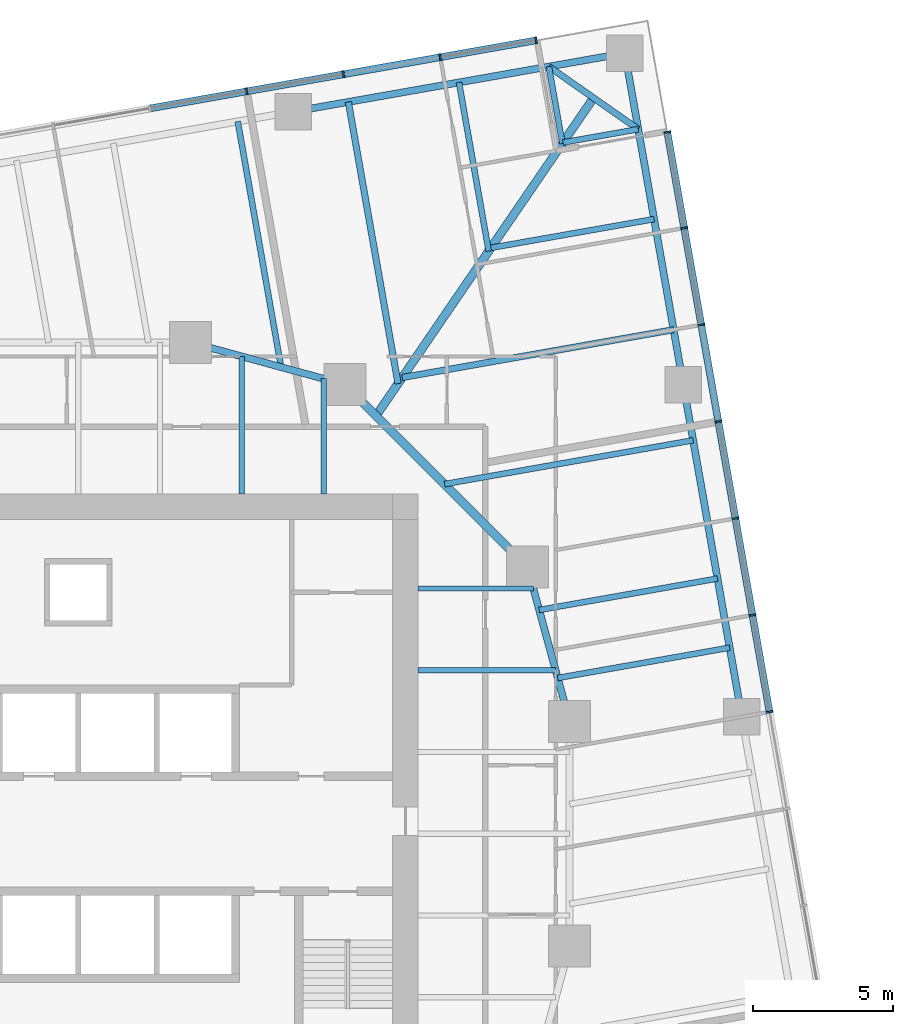
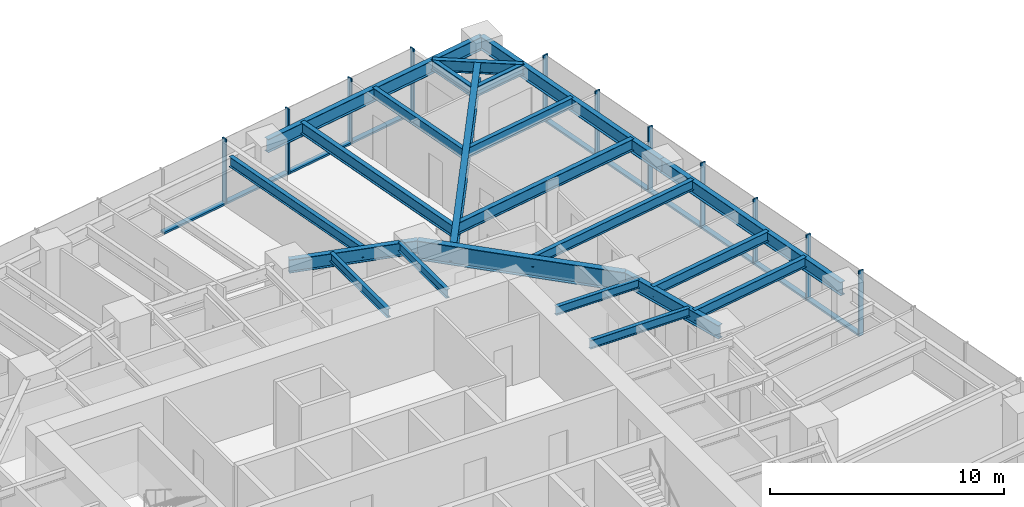
# One storey, part 6 of 14: 22 beams, 21 members, 2 elements without a shape of their own.
"""IFC4 building model written with IfcOpenShell, lengths in metres."""

from ifc_helpers import new_model, si_unit, direction, frame, origin, origin_2d, place, context, subcontext, project, spatial, rectangle, i_section, extrude, material, material_profile, profile_set, type_object, element, aggregate, save


model = new_model("IFC4")

# Units and contexts
model_context = context("Model", 3, precision=1e-05, world=origin(), true_north=direction((0.0, 1.0)))
body_context = subcontext(model_context, "Body", "Model", "MODEL_VIEW")
ifc_project = project(units=[si_unit("LENGTHUNIT", "METRE"), si_unit("AREAUNIT", "SQUARE_METRE"), si_unit("VOLUMEUNIT", "CUBIC_METRE"), si_unit("PLANEANGLEUNIT", "RADIAN"), si_unit("MASSUNIT", "GRAM", prefix="KILO")], contexts=[model_context])

# Site, building, storey
site_placement = place(None, origin())
site = spatial("IfcSite", under=ifc_project, at=site_placement, CompositionType="ELEMENT")
building_placement = place(site_placement, origin())
building = spatial("IfcBuilding", under=site, at=building_placement, Name="Torsade Residences", CompositionType="ELEMENT")
storey_placement = place(building_placement, frame((0.0, 0.0, 82.800048828125)))
storey = spatial("IfcBuildingStorey", under=building, at=storey_placement, Name="L22", CompositionType="ELEMENT", Elevation=82.800048828125)

# Beams
ifc_material_1 = material(Name="Steel grade 300", Category="steel")
ifc_material_profile_1 = material_profile(ifc_material_1, i_section(OverallWidth=0.300048828125, OverallDepth=0.89990234375, WebThickness=0.011962890625, FlangeThickness=0.02490234375, at=origin_2d()), Name="900WB175")
ifc_profile_set_1 = profile_set([ifc_material_profile_1], Name="Steel grade 300")
beam_type_1 = type_object("IfcBeamType", Name="CORNER GIRDER 900WB175", PredefinedType="BEAM", material=ifc_profile_set_1)
beam_1_placement = place(storey_placement, frame((58.3525390625, 56.2099609375, 2.800048828125), z_axis=(-0.564724759437, -0.825279313977, 0.0), x_axis=(0.825279313977, -0.564724759437, 0.0)))
element("IfcBeam", 1, at=beam_1_placement, inside=storey, type_object=beam_type_1, Name="Corner girder 09 L23", PredefinedType="BEAM", context=body_context, shape_type="SweptSolid", body=[
    extrude(i_section(OverallWidth=0.300048828125, OverallDepth=0.89990234375, WebThickness=0.011962890625, FlangeThickness=0.02490234375, at=origin_2d()), origin(), (0.0, 0.0, 1.0), 13.7138671875),
])
ifc_material_2 = material(Name="Steel grade 300", Category="steel")
ifc_material_profile_2 = material_profile(ifc_material_2, i_section(OverallWidth=0.22802734375, OverallDepth=0.60205078125, WebThickness=0.010498046875, FlangeThickness=0.014892578125, FilletRadius=0.013916015625, at=origin_2d()), Name="610UB101")
ifc_profile_set_2 = profile_set([ifc_material_profile_2], Name="Steel grade 300")
beam_type_2 = type_object("IfcBeamType", Name="CORNER TRIMMER 610UB101", PredefinedType="BEAM", material=ifc_profile_set_2)
beam_2_placement = place(storey_placement, frame((56.759521484375, 57.325439453125, 2.948974609375), z_axis=(0.819152285145, -0.573576092373, 0.0), x_axis=(0.573576092373, 0.819152285145, 0.0)))
element("IfcBeam", 2, at=beam_2_placement, inside=storey, type_object=beam_type_2, Name="Corner trimmer 09 L23", PredefinedType="BEAM", context=body_context, shape_type="SweptSolid", body=[
    extrude(i_section(OverallWidth=0.22802734375, OverallDepth=0.60205078125, WebThickness=0.010498046875, FlangeThickness=0.014892578125, FilletRadius=0.013916015625, at=origin_2d()), origin(), (0.0, 0.0, 1.0), 3.88916015625),
])

# Curtain wall, members
ifc_material_3 = material(Name="Aluminium and glass", Category="aluminium")
curtain_wall_type = type_object("IfcCurtainWallType", Name="FRITTED GLASS CURTAIN WALL LOW ZONE", PredefinedType="NOTDEFINED", material=ifc_material_3)
curtain_wall_1_placement = place(storey_placement, origin())
curtain_wall_1 = element("IfcCurtainWall", 3, at=curtain_wall_1_placement, inside=storey, type_object=curtain_wall_type, Name="Curtain wall L22 face 4", PredefinedType="NOTDEFINED")
ifc_material_4 = material(Name="Aluminium mullion", Category="aluminium")
ifc_material_profile_3 = material_profile(ifc_material_4, rectangle(XDim=0.25, YDim=0.06494140625, at=origin_2d()), Name="CURTAIN WALL MULLION 250x65")
ifc_profile_set_3 = profile_set([ifc_material_profile_3], Name="Aluminium mullion")
member_type_1 = type_object("IfcMemberType", Name="CURTAIN WALL MULLION 250x65", PredefinedType="MULLION", material=ifc_profile_set_3)
member_1_placement = place(storey_placement, frame((64.6201171875, 34.34130859375, 0.0), z_axis=(0.0, 0.0, 1.0), x_axis=(-0.984807750372, -0.173648192638, 0.0)))
member_1 = element("IfcMember", 4, at=member_1_placement, type_object=member_type_1, Name="Mullion 7", PredefinedType="MULLION", context=body_context, shape_type="SweptSolid", body=[
    extrude(rectangle(XDim=0.25, YDim=0.06494140625, at=origin_2d()), origin(), (0.0, 0.0, 1.0), 3.39990234375),
])
member_2_placement = place(storey_placement, frame((64.012451171875, 37.7880859375, 0.0), z_axis=(0.0, 0.0, 1.0), x_axis=(-0.984807750372, -0.173648192638, 0.0)))
member_2 = element("IfcMember", 5, at=member_2_placement, type_object=member_type_1, Name="Mullion 8", PredefinedType="MULLION", context=body_context, shape_type="SweptSolid", body=[
    extrude(rectangle(XDim=0.25, YDim=0.06494140625, at=origin_2d()), origin(), (0.0, 0.0, 1.0), 3.39990234375),
])
member_3_placement = place(storey_placement, frame((63.404541015625, 41.23486328125, 0.0), z_axis=(0.0, 0.0, 1.0), x_axis=(-0.984807750372, -0.173648192638, 0.0)))
member_3 = element("IfcMember", 6, at=member_3_placement, type_object=member_type_1, Name="Mullion 9", PredefinedType="MULLION", context=body_context, shape_type="SweptSolid", body=[
    extrude(rectangle(XDim=0.25, YDim=0.06494140625, at=origin_2d()), origin(), (0.0, 0.0, 1.0), 3.39990234375),
])
member_4_placement = place(storey_placement, frame((62.796875, 44.681640625, 0.0), z_axis=(0.0, 0.0, 1.0), x_axis=(-0.984807750372, -0.173648192638, 0.0)))
member_4 = element("IfcMember", 7, at=member_4_placement, type_object=member_type_1, Name="Mullion 10", PredefinedType="MULLION", context=body_context, shape_type="SweptSolid", body=[
    extrude(rectangle(XDim=0.25, YDim=0.06494140625, at=origin_2d()), origin(), (0.0, 0.0, 1.0), 3.39990234375),
])
member_5_placement = place(storey_placement, frame((62.189208984375, 48.12841796875, 0.0), z_axis=(0.0, 0.0, 1.0), x_axis=(-0.984807750372, -0.173648192638, 0.0)))
member_5 = element("IfcMember", 8, at=member_5_placement, type_object=member_type_1, Name="Mullion 11", PredefinedType="MULLION", context=body_context, shape_type="SweptSolid", body=[
    extrude(rectangle(XDim=0.25, YDim=0.06494140625, at=origin_2d()), origin(), (0.0, 0.0, 1.0), 3.39990234375),
])
member_6_placement = place(storey_placement, frame((61.581298828125, 51.575439453125, 0.0), z_axis=(0.0, 0.0, 1.0), x_axis=(-0.984807750372, -0.173648192638, 0.0)))
member_6 = element("IfcMember", 9, at=member_6_placement, type_object=member_type_1, Name="Mullion 12", PredefinedType="MULLION", context=body_context, shape_type="SweptSolid", body=[
    extrude(rectangle(XDim=0.25, YDim=0.06494140625, at=origin_2d()), origin(), (0.0, 0.0, 1.0), 3.39990234375),
])
member_7_placement = place(storey_placement, frame((60.979248046875, 54.990234375, 0.0), z_axis=(0.0, 0.0, 1.0), x_axis=(-0.984807750372, -0.173648192638, 0.0)))
member_7 = element("IfcMember", 10, at=member_7_placement, type_object=member_type_1, Name="Mullion 13", PredefinedType="MULLION", context=body_context, shape_type="SweptSolid", body=[
    extrude(rectangle(XDim=0.25, YDim=0.06494140625, at=origin_2d()), origin(), (0.0, 0.0, 1.0), 3.39990234375),
])

curtain_wall_2_placement = place(storey_placement, origin())
curtain_wall_2 = element("IfcCurtainWall", 11, at=curtain_wall_2_placement, inside=storey, type_object=curtain_wall_type, Name="Curtain wall L22 face 7", PredefinedType="NOTDEFINED")
member_8_placement = place(storey_placement, frame((56.307861328125, 58.26123046875, 0.0), z_axis=(0.0, 0.0, 1.0), x_axis=(0.173648192638, -0.984807750372, 0.0)))
member_8 = element("IfcMember", 12, at=member_8_placement, type_object=member_type_1, Name="Mullion 1", PredefinedType="MULLION", context=body_context, shape_type="SweptSolid", body=[
    extrude(rectangle(XDim=0.25, YDim=0.06494140625, at=origin_2d()), origin(), (0.0, 0.0, 1.0), 3.39990234375),
])
member_9_placement = place(storey_placement, frame((52.892822265625, 57.658935546875, 0.0), z_axis=(0.0, 0.0, 1.0), x_axis=(0.173648192638, -0.984807750372, 0.0)))
member_9 = element("IfcMember", 13, at=member_9_placement, type_object=member_type_1, Name="Mullion 2", PredefinedType="MULLION", context=body_context, shape_type="SweptSolid", body=[
    extrude(rectangle(XDim=0.25, YDim=0.06494140625, at=origin_2d()), origin(), (0.0, 0.0, 1.0), 3.39990234375),
])
member_10_placement = place(storey_placement, frame((49.446044921875, 57.05126953125, 0.0), z_axis=(0.0, 0.0, 1.0), x_axis=(0.173648192638, -0.984807750372, 0.0)))
member_10 = element("IfcMember", 14, at=member_10_placement, type_object=member_type_1, Name="Mullion 3", PredefinedType="MULLION", context=body_context, shape_type="SweptSolid", body=[
    extrude(rectangle(XDim=0.25, YDim=0.06494140625, at=origin_2d()), origin(), (0.0, 0.0, 1.0), 3.39990234375),
])
member_11_placement = place(storey_placement, frame((45.999267578125, 56.443603515625, 0.0), z_axis=(0.0, 0.0, 1.0), x_axis=(0.173648192638, -0.984807750372, 0.0)))
member_11 = element("IfcMember", 15, at=member_11_placement, type_object=member_type_1, Name="Mullion 4", PredefinedType="MULLION", context=body_context, shape_type="SweptSolid", body=[
    extrude(rectangle(XDim=0.25, YDim=0.06494140625, at=origin_2d()), origin(), (0.0, 0.0, 1.0), 3.39990234375),
])

# Member
ifc_material_5 = material(Name="Aluminium transom", Category="aluminium")
ifc_material_profile_4 = material_profile(ifc_material_5, rectangle(XDim=0.25, YDim=0.10009765625, at=origin_2d()), Name="CURTAIN WALL TRANSOM 250x100")
ifc_profile_set_4 = profile_set([ifc_material_profile_4], Name="Aluminium transom")
member_type_2 = type_object("IfcMemberType", Name="CURTAIN WALL TRANSOM 250x100", PredefinedType="USERDEFINED", material=ifc_profile_set_4)
member_12_placement = place(storey_placement, frame((64.614501953125, 34.373291015625, 0.050048828125), z_axis=(-0.17363531196, 0.984810021497, 0.0), x_axis=(-0.984810021497, -0.17363531196, 0.0)))
member_12 = element("IfcMember", 16, at=member_12_placement, type_object=member_type_2, Name="Transom 7.1", ObjectType="TRANSOM", PredefinedType="USERDEFINED", context=body_context, shape_type="SweptSolid", body=[
    extrude(rectangle(XDim=0.25, YDim=0.10009765625, at=origin_2d()), origin(), (0.0, 0.0, 1.0), 3.43505859375),
])

member_13_placement = place(storey_placement, frame((64.0068359375, 37.820068359375, 0.050048828125), z_axis=(-0.17363531196, 0.984810021497, 0.0), x_axis=(-0.984810021497, -0.17363531196, 0.0)))
member_13 = element("IfcMember", 17, at=member_13_placement, type_object=member_type_2, Name="Transom 8.1", ObjectType="TRANSOM", PredefinedType="USERDEFINED", context=body_context, shape_type="SweptSolid", body=[
    extrude(rectangle(XDim=0.25, YDim=0.10009765625, at=origin_2d()), origin(), (0.0, 0.0, 1.0), 3.43505859375),
])

member_14_placement = place(storey_placement, frame((63.39892578125, 41.266845703125, 0.050048828125), z_axis=(-0.17363531196, 0.984810021497, 0.0), x_axis=(-0.984810021497, -0.17363531196, 0.0)))
member_14 = element("IfcMember", 18, at=member_14_placement, type_object=member_type_2, Name="Transom 9.1", ObjectType="TRANSOM", PredefinedType="USERDEFINED", context=body_context, shape_type="SweptSolid", body=[
    extrude(rectangle(XDim=0.25, YDim=0.10009765625, at=origin_2d()), origin(), (0.0, 0.0, 1.0), 3.43505859375),
])

member_15_placement = place(storey_placement, frame((62.791259765625, 44.713623046875, 0.050048828125), z_axis=(-0.17363531196, 0.984810021497, 0.0), x_axis=(-0.984810021497, -0.17363531196, 0.0)))
member_15 = element("IfcMember", 19, at=member_15_placement, type_object=member_type_2, Name="Transom 10.1", ObjectType="TRANSOM", PredefinedType="USERDEFINED", context=body_context, shape_type="SweptSolid", body=[
    extrude(rectangle(XDim=0.25, YDim=0.10009765625, at=origin_2d()), origin(), (0.0, 0.0, 1.0), 3.43505859375),
])

member_16_placement = place(storey_placement, frame((62.18359375, 48.160400390625, 0.050048828125), z_axis=(-0.173704242465, 0.98479786563, 0.0), x_axis=(-0.98479786563, -0.173704242465, 0.0)))
member_16 = element("IfcMember", 20, at=member_16_placement, type_object=member_type_2, Name="Transom 11.1", ObjectType="TRANSOM", PredefinedType="USERDEFINED", context=body_context, shape_type="SweptSolid", body=[
    extrude(rectangle(XDim=0.25, YDim=0.10009765625, at=origin_2d()), origin(), (0.0, 0.0, 1.0), 3.43505859375),
])

member_17_placement = place(storey_placement, frame((61.57568359375, 51.607421875, 0.050048828125), z_axis=(-0.173642067011, 0.984808830466, 0.0), x_axis=(-0.984808830466, -0.173642067011, 0.0)))
member_17 = element("IfcMember", 21, at=member_17_placement, type_object=member_type_2, Name="Transom 12.1", ObjectType="TRANSOM", PredefinedType="USERDEFINED", context=body_context, shape_type="SweptSolid", body=[
    extrude(rectangle(XDim=0.25, YDim=0.10009765625, at=origin_2d()), origin(), (0.0, 0.0, 1.0), 3.402587890625),
])

aggregate(curtain_wall_1, [member_1, member_2, member_3, member_4, member_5, member_6, member_7, member_12, member_13, member_14, member_15, member_16, member_17])

member_18_placement = place(storey_placement, frame((56.275634765625, 58.255615234375, 0.050048828125), z_axis=(-0.984806666774, -0.173654337918, 0.0), x_axis=(0.173654337918, -0.984806666774, 0.0)))
member_18 = element("IfcMember", 22, at=member_18_placement, type_object=member_type_2, Name="Transom 1.1", ObjectType="TRANSOM", PredefinedType="USERDEFINED", context=body_context, shape_type="SweptSolid", body=[
    extrude(rectangle(XDim=0.25, YDim=0.10009765625, at=origin_2d()), origin(), (0.0, 0.0, 1.0), 3.40234375),
])

member_19_placement = place(storey_placement, frame((52.86083984375, 57.6533203125, 0.050048828125), z_axis=(-0.984810021497, -0.17363531196, 0.0), x_axis=(0.17363531196, -0.984810021497, 0.0)))
member_19 = element("IfcMember", 23, at=member_19_placement, type_object=member_type_2, Name="Transom 2.1", ObjectType="TRANSOM", PredefinedType="USERDEFINED", context=body_context, shape_type="SweptSolid", body=[
    extrude(rectangle(XDim=0.25, YDim=0.10009765625, at=origin_2d()), origin(), (0.0, 0.0, 1.0), 3.43505859375),
])

member_20_placement = place(storey_placement, frame((49.4140625, 57.045654296875, 0.050048828125), z_axis=(-0.984810021497, -0.17363531196, 0.0), x_axis=(0.17363531196, -0.984810021497, 0.0)))
member_20 = element("IfcMember", 24, at=member_20_placement, type_object=member_type_2, Name="Transom 3.1", ObjectType="TRANSOM", PredefinedType="USERDEFINED", context=body_context, shape_type="SweptSolid", body=[
    extrude(rectangle(XDim=0.25, YDim=0.10009765625, at=origin_2d()), origin(), (0.0, 0.0, 1.0), 3.43505859375),
])

member_21_placement = place(storey_placement, frame((45.96728515625, 56.437744140625, 0.050048828125), z_axis=(-0.984810021497, -0.17363531196, 0.0), x_axis=(0.17363531196, -0.984810021497, 0.0)))
member_21 = element("IfcMember", 25, at=member_21_placement, type_object=member_type_2, Name="Transom 4.1", ObjectType="TRANSOM", PredefinedType="USERDEFINED", context=body_context, shape_type="SweptSolid", body=[
    extrude(rectangle(XDim=0.25, YDim=0.10009765625, at=origin_2d()), origin(), (0.0, 0.0, 1.0), 3.43505859375),
])

aggregate(curtain_wall_2, [member_8, member_9, member_10, member_11, member_18, member_19, member_20, member_21])

# Beams
ifc_material_6 = material(Name="Steel grade 300", Category="steel")
ifc_material_profile_5 = material_profile(ifc_material_6, i_section(OverallWidth=0.25, OverallDepth=0.699951171875, WebThickness=0.010009765625, FlangeThickness=0.02001953125, at=origin_2d()), Name="700WB130")
ifc_profile_set_5 = profile_set([ifc_material_profile_5], Name="Steel grade 300")
beam_type_3 = type_object("IfcBeamType", Name="EDGE BEAM 700WB130", PredefinedType="SPANDREL", material=ifc_profile_set_5)
beam_3_placement = place(storey_placement, frame((63.635498046875, 34.16748046875, 2.89990234375), z_axis=(-0.173662308598, 0.984805261243, 0.0), x_axis=(-0.984805261243, -0.173662308598, 0.0)))
element("IfcBeam", 26, at=beam_3_placement, inside=storey, type_object=beam_type_3, Name="Edge beam 07 L23", PredefinedType="SPANDREL", context=body_context, shape_type="SweptSolid", body=[
    extrude(i_section(OverallWidth=0.25, OverallDepth=0.699951171875, WebThickness=0.010009765625, FlangeThickness=0.02001953125, at=origin_2d()), origin(), (0.0, 0.0, 1.0), 12.000244140625),
])
for number, where, z_axis, x_axis, name in (
    (27, (61.551513671875, 45.9853515625, 2.89990234375), (-0.173646056486, 0.984808127031, 0.0), (-0.984808127031, -0.173646056486, 0.0), "Edge beam 08 L23"),
    (28, (59.4677734375, 57.802978515625, 2.89990234375), (-0.984808127031, -0.173646056486, 0.0), (0.173646056486, -0.984808127031, 0.0), "Edge beam 09 L23"),
):
    element("IfcBeam", number, at=place(storey_placement, frame(where, z_axis=z_axis, x_axis=x_axis)), inside=storey, type_object=beam_type_3, Name=name, PredefinedType="SPANDREL", context=body_context, shape_type="SweptSolid", body=[
        extrude(i_section(OverallWidth=0.25, OverallDepth=0.699951171875, WebThickness=0.010009765625, FlangeThickness=0.02001953125, at=origin_2d()), origin(), (0.0, 0.0, 1.0), 12.0),
    ])
ifc_material_7 = material(Name="Steel grade 300", Category="steel")
ifc_material_profile_6 = material_profile(ifc_material_7, i_section(OverallWidth=0.18994140625, OverallDepth=0.4541015625, WebThickness=0.008544921875, FlangeThickness=0.0126953125, FilletRadius=0.011474609375, at=origin_2d()), Name="460UB67.1")
ifc_profile_set_6 = profile_set([ifc_material_profile_6], Name="Steel grade 300")
beam_type_4 = type_object("IfcBeamType", Name="INNER FLOOR BEAM 460UB67.1", PredefinedType="JOIST", material=ifc_profile_set_6)
beam_4_placement = place(storey_placement, frame((45.824951171875, 42.10009765625, 3.02294921875), z_axis=(0.0, 1.0, 0.0), x_axis=(-1.0, 0.0, 0.0)))
element("IfcBeam", 29, at=beam_4_placement, inside=storey, type_object=beam_type_4, Name="Inner floor beam IN06 L23", PredefinedType="JOIST", context=body_context, shape_type="SweptSolid", body=[
    extrude(i_section(OverallWidth=0.18994140625, OverallDepth=0.4541015625, WebThickness=0.008544921875, FlangeThickness=0.0126953125, FilletRadius=0.011474609375, at=origin_2d()), origin(), (0.0, 0.0, 1.0), 4.902099609375),
])
beam_5_placement = place(storey_placement, frame((48.737548828125, 42.10009765625, 3.02294921875), z_axis=(0.0, 1.0, 0.0), x_axis=(-1.0, 0.0, 0.0)))
element("IfcBeam", 30, at=beam_5_placement, inside=storey, type_object=beam_type_4, Name="Inner floor beam IN07 L23", PredefinedType="JOIST", context=body_context, shape_type="SweptSolid", body=[
    extrude(i_section(OverallWidth=0.18994140625, OverallDepth=0.4541015625, WebThickness=0.008544921875, FlangeThickness=0.0126953125, FilletRadius=0.011474609375, at=origin_2d()), origin(), (0.0, 0.0, 1.0), 4.10791015625),
])
beam_6_placement = place(storey_placement, frame((52.10009765625, 35.824951171875, 3.02294921875), z_axis=(1.0, 0.0, 0.0), x_axis=(0.0, 1.0, 0.0)))
element("IfcBeam", 31, at=beam_6_placement, inside=storey, type_object=beam_type_4, Name="Inner floor beam IE06 L23", PredefinedType="JOIST", context=body_context, shape_type="SweptSolid", body=[
    extrude(i_section(OverallWidth=0.18994140625, OverallDepth=0.4541015625, WebThickness=0.008544921875, FlangeThickness=0.0126953125, FilletRadius=0.011474609375, at=origin_2d()), origin(), (0.0, 0.0, 1.0), 4.902099609375),
])
beam_7_placement = place(storey_placement, frame((52.10009765625, 38.737548828125, 3.02294921875), z_axis=(1.0, 0.0, 0.0), x_axis=(0.0, 1.0, 0.0)))
element("IfcBeam", 32, at=beam_7_placement, inside=storey, type_object=beam_type_4, Name="Inner floor beam IE07 L23", PredefinedType="JOIST", context=body_context, shape_type="SweptSolid", body=[
    extrude(i_section(OverallWidth=0.18994140625, OverallDepth=0.4541015625, WebThickness=0.008544921875, FlangeThickness=0.0126953125, FilletRadius=0.011474609375, at=origin_2d()), origin(), (0.0, 0.0, 1.0), 4.10791015625),
])
ifc_material_8 = material(Name="Steel grade 300", Category="steel")
ifc_material_profile_7 = material_profile(ifc_material_8, i_section(OverallWidth=0.300048828125, OverallDepth=1.0, WebThickness=0.01611328125, FlangeThickness=0.028076171875, at=origin_2d()), Name="1000WB215")
ifc_profile_set_7 = profile_set([ifc_material_profile_7], Name="Steel grade 300")
beam_type_5 = type_object("IfcBeamType", Name="RING CORNER GIRDER 1000WB215", PredefinedType="BEAM", material=ifc_profile_set_7)
beam_8_placement = place(storey_placement, frame((56.0, 39.5, 2.75), z_axis=(-0.707106781187, 0.707106781187, 0.0), x_axis=(-0.707106781187, -0.707106781187, 0.0)))
element("IfcBeam", 33, at=beam_8_placement, inside=storey, type_object=beam_type_5, Name="Ring girder IR03 L23", PredefinedType="BEAM", context=body_context, shape_type="SweptSolid", body=[
    extrude(i_section(OverallWidth=0.300048828125, OverallDepth=1.0, WebThickness=0.01611328125, FlangeThickness=0.028076171875, at=origin_2d()), origin(), (0.0, 0.0, 1.0), 9.1923828125),
])
ifc_material_9 = material(Name="Steel grade 300", Category="steel")
ifc_material_profile_8 = material_profile(ifc_material_9, i_section(OverallWidth=0.25, OverallDepth=0.699951171875, WebThickness=0.010009765625, FlangeThickness=0.02001953125, at=origin_2d()), Name="700WB130")
ifc_profile_set_8 = profile_set([ifc_material_profile_8], Name="Steel grade 300")
beam_type_6 = type_object("IfcBeamType", Name="RING GIRDER 700WB130", PredefinedType="BEAM", material=ifc_profile_set_8)
for number, where, z_axis, x_axis, name in (
    (34, (57.5, 34.0, 2.89990234375), (-0.263117405792, 0.964763821238, 0.0), (-0.964763821238, -0.263117405792, 0.0), "Ring girder IR02 L23"),
    (35, (49.5, 46.0, 2.89990234375), (-0.964763821238, 0.263117405792, 0.0), (-0.263117405792, -0.964763821238, 0.0), "Ring girder IR04 L23"),
):
    element("IfcBeam", number, at=place(storey_placement, frame(where, z_axis=z_axis, x_axis=x_axis)), inside=storey, type_object=beam_type_6, Name=name, PredefinedType="BEAM", context=body_context, shape_type="SweptSolid", body=[
        extrude(i_section(OverallWidth=0.25, OverallDepth=0.699951171875, WebThickness=0.010009765625, FlangeThickness=0.02001953125, at=origin_2d()), origin(), (0.0, 0.0, 1.0), 5.700927734375),
    ])
ifc_material_10 = material(Name="Steel grade 300", Category="steel")
ifc_material_profile_9 = material_profile(ifc_material_10, i_section(OverallWidth=0.208984375, OverallDepth=0.528076171875, WebThickness=0.009521484375, FlangeThickness=0.01318359375, FilletRadius=0.013916015625, at=origin_2d()), Name="530UB82.0")
ifc_profile_set_9 = profile_set([ifc_material_profile_9], Name="Steel grade 300")
beam_type_7 = type_object("IfcBeamType", Name="SECONDARY BEAM 530UB82.0", PredefinedType="JOIST", material=ifc_profile_set_9)
beam_9_placement = place(storey_placement, frame((63.201171875, 36.629638671875, 2.98583984375), z_axis=(-0.984806474989, -0.173655425542, 0.0), x_axis=(0.173655425542, -0.984806474989, 0.0)))
element("IfcBeam", 36, at=beam_9_placement, inside=storey, type_object=beam_type_7, Name="Floor beam FE07 L23", PredefinedType="JOIST", context=body_context, shape_type="SweptSolid", body=[
    extrude(i_section(OverallWidth=0.208984375, OverallDepth=0.528076171875, WebThickness=0.009521484375, FlangeThickness=0.01318359375, FilletRadius=0.013916015625, at=origin_2d()), origin(), (0.0, 0.0, 1.0), 6.21826171875),
])
beam_10_placement = place(storey_placement, frame((62.76708984375, 39.091552734375, 2.98583984375), z_axis=(-0.984810608823, -0.17363198078, 0.0), x_axis=(0.17363198078, -0.984810608823, 0.0)))
element("IfcBeam", 37, at=beam_10_placement, inside=storey, type_object=beam_type_7, Name="Floor beam FE08 L23", PredefinedType="JOIST", context=body_context, shape_type="SweptSolid", body=[
    extrude(i_section(OverallWidth=0.208984375, OverallDepth=0.528076171875, WebThickness=0.009521484375, FlangeThickness=0.01318359375, FilletRadius=0.013916015625, at=origin_2d()), origin(), (0.0, 0.0, 1.0), 6.4482421875),
])
beam_11_placement = place(storey_placement, frame((61.89892578125, 44.015625, 2.98583984375), z_axis=(-0.984809246638, -0.173639706679, 0.0), x_axis=(0.173639706679, -0.984809246638, 0.0)))
element("IfcBeam", 38, at=beam_11_placement, inside=storey, type_object=beam_type_7, Name="Floor beam FE09 L23", PredefinedType="JOIST", context=body_context, shape_type="SweptSolid", body=[
    extrude(i_section(OverallWidth=0.208984375, OverallDepth=0.528076171875, WebThickness=0.009521484375, FlangeThickness=0.01318359375, FilletRadius=0.013916015625, at=origin_2d()), origin(), (0.0, 0.0, 1.0), 8.989990234375),
])
beam_12_placement = place(storey_placement, frame((60.509765625, 51.89404296875, 2.98583984375), z_axis=(-0.984811033899, -0.173629569808, 0.0), x_axis=(0.173629569808, -0.984811033899, 0.0)))
element("IfcBeam", 39, at=beam_12_placement, inside=storey, type_object=beam_type_7, Name="Floor beam FE11 L23", PredefinedType="JOIST", context=body_context, shape_type="SweptSolid", body=[
    extrude(i_section(OverallWidth=0.208984375, OverallDepth=0.528076171875, WebThickness=0.009521484375, FlangeThickness=0.01318359375, FilletRadius=0.013916015625, at=origin_2d()), origin(), (0.0, 0.0, 1.0), 5.9013671875),
])
beam_13_placement = place(storey_placement, frame((59.9453125, 55.0947265625, 2.98583984375), z_axis=(-0.984807941563, -0.17364710834, 0.0), x_axis=(0.17364710834, -0.984807941563, 0.0)))
element("IfcBeam", 40, at=beam_13_placement, inside=storey, type_object=beam_type_7, Name="Floor beam FE12 L23", PredefinedType="JOIST", context=body_context, shape_type="SweptSolid", body=[
    extrude(i_section(OverallWidth=0.208984375, OverallDepth=0.528076171875, WebThickness=0.009521484375, FlangeThickness=0.01318359375, FilletRadius=0.013916015625, at=origin_2d()), origin(), (0.0, 0.0, 1.0), 2.720458984375),
])
beam_14_placement = place(storey_placement, frame((56.759521484375, 57.325439453125, 2.98583984375), z_axis=(0.173705176765, -0.984797700832, 0.0), x_axis=(0.984797700832, 0.173705176765, 0.0)))
element("IfcBeam", 41, at=beam_14_placement, inside=storey, type_object=beam_type_7, Name="Floor beam FN01 L23", PredefinedType="JOIST", context=body_context, shape_type="SweptSolid", body=[
    extrude(i_section(OverallWidth=0.208984375, OverallDepth=0.528076171875, WebThickness=0.009521484375, FlangeThickness=0.01318359375, FilletRadius=0.013916015625, at=origin_2d()), origin(), (0.0, 0.0, 1.0), 2.780029296875),
])
beam_15_placement = place(storey_placement, frame((53.55908203125, 56.760986328125, 2.98583984375), z_axis=(0.173639225065, -0.984809331556, 0.0), x_axis=(0.984809331556, 0.173639225065, 0.0)))
element("IfcBeam", 42, at=beam_15_placement, inside=storey, type_object=beam_type_7, Name="Floor beam FN02 L23", PredefinedType="JOIST", context=body_context, shape_type="SweptSolid", body=[
    extrude(i_section(OverallWidth=0.208984375, OverallDepth=0.528076171875, WebThickness=0.009521484375, FlangeThickness=0.01318359375, FilletRadius=0.013916015625, at=origin_2d()), origin(), (0.0, 0.0, 1.0), 6.100830078125),
])
beam_16_placement = place(storey_placement, frame((45.680419921875, 55.371826171875, 2.98583984375), z_axis=(0.173667781384, -0.984804296147, 0.0), x_axis=(0.984804296147, 0.173667781384, 0.0)))
element("IfcBeam", 43, at=beam_16_placement, inside=storey, type_object=beam_type_7, Name="Floor beam FN04 L23", PredefinedType="JOIST", context=body_context, shape_type="SweptSolid", body=[
    extrude(i_section(OverallWidth=0.208984375, OverallDepth=0.528076171875, WebThickness=0.009521484375, FlangeThickness=0.01318359375, FilletRadius=0.013916015625, at=origin_2d()), origin(), (0.0, 0.0, 1.0), 8.885986328125),
])
ifc_material_11 = material(Name="Steel grade 300", Category="steel")
ifc_material_profile_10 = material_profile(ifc_material_11, i_section(OverallWidth=0.22900390625, OverallDepth=0.612060546875, WebThickness=0.011962890625, FlangeThickness=0.01953125, FilletRadius=0.013916015625, at=origin_2d()), Name="610UB125")
ifc_profile_set_10 = profile_set([ifc_material_profile_10], Name="Steel grade 300")
beam_type_8 = type_object("IfcBeamType", Name="SECONDARY BEAM 610UB125", PredefinedType="JOIST", material=ifc_profile_set_10)
beam_17_placement = place(storey_placement, frame((61.204345703125, 47.954833984375, 2.94384765625), z_axis=(-0.984807085789, -0.173651961637, 0.0), x_axis=(0.173651961637, -0.984807085789, 0.0)))
element("IfcBeam", 44, at=beam_17_placement, inside=storey, type_object=beam_type_8, Name="Floor beam FE10 L23", PredefinedType="JOIST", context=body_context, shape_type="SweptSolid", body=[
    extrude(i_section(OverallWidth=0.22900390625, OverallDepth=0.612060546875, WebThickness=0.011962890625, FlangeThickness=0.01953125, FilletRadius=0.013916015625, at=origin_2d()), origin(), (0.0, 0.0, 1.0), 9.816162109375),
])
beam_18_placement = place(storey_placement, frame((49.619873046875, 56.06640625, 2.94384765625), z_axis=(0.173644522411, -0.984808397525, 0.0), x_axis=(0.984808397525, 0.173644522411, 0.0)))
element("IfcBeam", 45, at=beam_18_placement, inside=storey, type_object=beam_type_8, Name="Floor beam FN03 L23", PredefinedType="JOIST", context=body_context, shape_type="SweptSolid", body=[
    extrude(i_section(OverallWidth=0.22900390625, OverallDepth=0.612060546875, WebThickness=0.011962890625, FlangeThickness=0.01953125, FilletRadius=0.013916015625, at=origin_2d()), origin(), (0.0, 0.0, 1.0), 10.187744140625),
])

save(model, "model.ifc")
